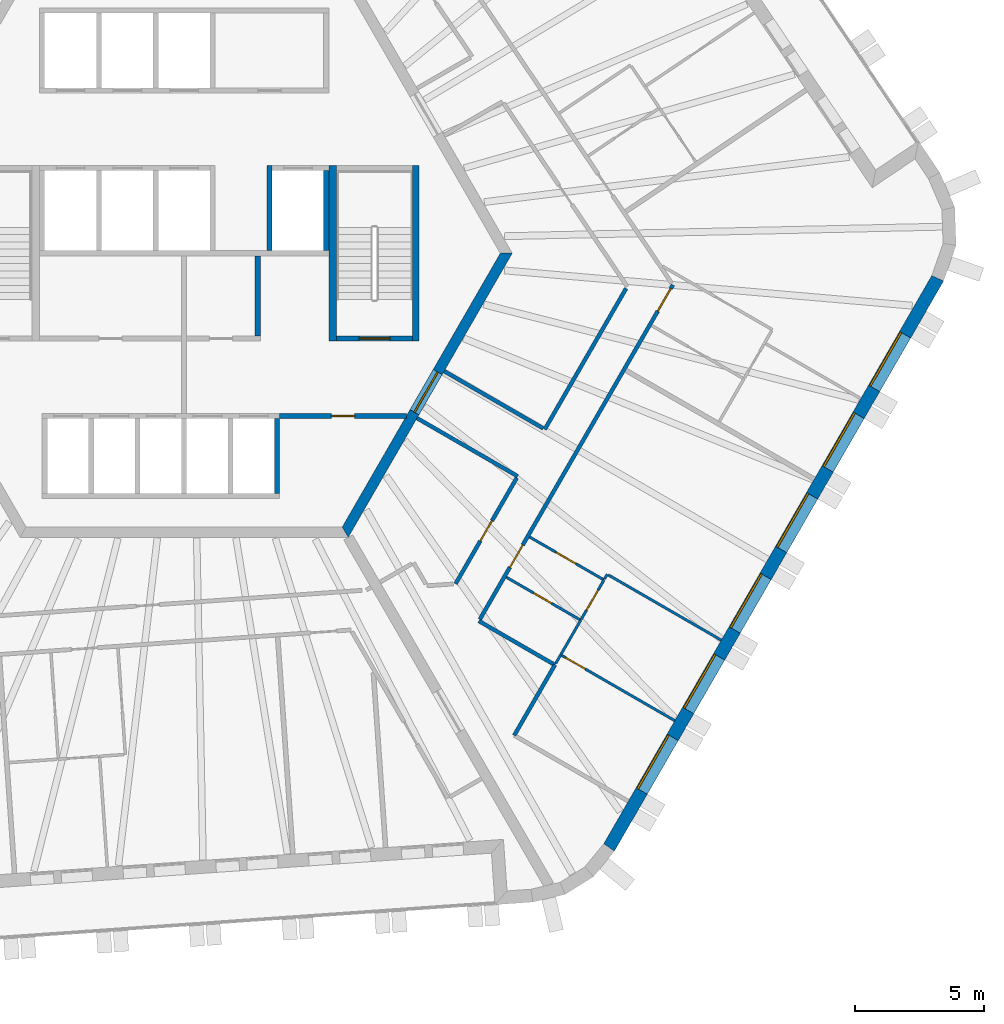
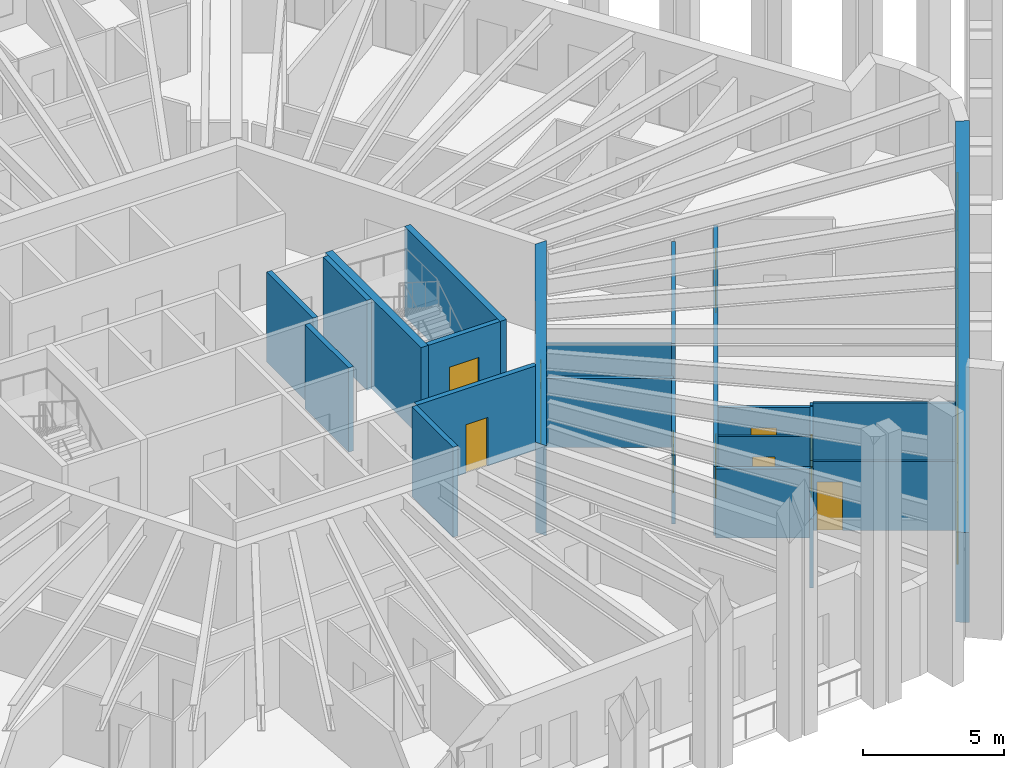
# One storey, part 6 of 13: 25 walls, 10 doors, 6 windows, 16 openings.
"""IFC4 building model written with IfcOpenShell, lengths in metres."""

from ifc_helpers import new_model, si_unit, direction, frame, frame_2d, origin, place, context, subcontext, project, spatial, polyline, rectangle, outline, extrude, material, layer, layer_set, type_object, element, fill, save


model = new_model("IFC4")

# Units and contexts
model_context = context("Model", 3, precision=1e-05, world=origin(), true_north=direction((0.0, 1.0)))
body_context = subcontext(model_context, "Body", "Model", "MODEL_VIEW")
ifc_project = project(units=[si_unit("LENGTHUNIT", "METRE"), si_unit("AREAUNIT", "SQUARE_METRE"), si_unit("VOLUMEUNIT", "CUBIC_METRE"), si_unit("PLANEANGLEUNIT", "RADIAN"), si_unit("MASSUNIT", "GRAM", prefix="KILO")], contexts=[model_context])

# Site, building, storey
site_placement = place(None, origin())
site = spatial("IfcSite", under=ifc_project, at=site_placement, CompositionType="ELEMENT")
building_placement = place(site_placement, origin())
building = spatial("IfcBuilding", under=site, at=building_placement, Name="Tarnside Tower", CompositionType="ELEMENT")
storey_placement = place(building_placement, frame((0.0, 0.0, 303.0)))
storey = spatial("IfcBuildingStorey", under=building, at=storey_placement, Name="L73", CompositionType="ELEMENT", Elevation=303.0)

# Wall, opening, door
ifc_material_1 = material(Name="Gypsum board partition on steel studs", Category="steel")
ifc_layer_1 = layer(ifc_material_1, 0.10009765625)
ifc_layer_set_1 = layer_set([ifc_layer_1], Name="Bathroom wall 100")
wall_type_1 = type_object("IfcWallType", Name="Bathroom wall 100", PredefinedType="PARTITIONING", material=ifc_layer_set_1)
wall_1_placement = place(storey_placement, frame((12.47412109375, -12.544189453125, 0.0), z_axis=(0.0, 0.0, 1.0), x_axis=(0.866002163101, -0.500040251884, 0.0)))
wall_1 = element("IfcWall", 1, at=wall_1_placement, inside=storey, type_object=wall_type_1, Name="Bathroom wall 24146", PredefinedType="PARTITIONING", context=body_context, shape_type="SweptSolid", body=[
    extrude(rectangle(XDim=3.324951171875, YDim=0.10009765625, at=frame_2d((1.66259765625, 0.0))), origin(), (0.0, 0.0, 1.0), 2.98779296875),
])
opening_1_placement = place(wall_1_placement, frame((1.22509765625, 0.0, 0.0)))
opening_1 = element("IfcOpeningElement", 2, at=opening_1_placement, cuts=wall_1, Name="Opening D-B1", PredefinedType="OPENING", context=body_context, shape_type="SweptSolid", body=[
    extrude(rectangle(XDim=0.800048828125, YDim=2.10009765625, at=frame_2d((0.39990234375, 1.050048828125))), frame((0.0, 0.06005859375, 0.0), z_axis=(0.0, -1.0, 0.0), x_axis=(1.0, 0.0, 0.0)), (0.0, 0.0, 1.0), 0.1201171875),
])
ifc_material_2 = material(Name="Timber door leaf", Category="wood")
door_type_1 = type_object("IfcDoorType", Name="Bathroom door 800", OperationType="NOTDEFINED", PredefinedType="DOOR", material=ifc_material_2)
door_1_placement = place(opening_1_placement, origin())
door_1 = element("IfcDoor", 3, at=door_1_placement, inside=storey, type_object=door_type_1, Name="Bathroom door 24044", OperationType="SINGLE_SWING_RIGHT", OverallHeight=2.10009765625, OverallWidth=0.800048828125, PredefinedType="DOOR", context=body_context, shape_type="SweptSolid", body=[
    extrude(rectangle(XDim=0.800048828125, YDim=2.10009765625, at=frame_2d((0.39990234375, 1.050048828125))), frame((0.0, 0.02490234375, 0.0), z_axis=(0.0, -1.0, 0.0), x_axis=(1.0, 0.0, 0.0)), (0.0, 0.0, 1.0), 0.050048828125),
])
fill(opening_1, door_1)

# Walls
wall_2_placement = place(storey_placement, frame((14.39013671875, -15.87548828125, 0.0), z_axis=(0.0, 0.0, 1.0), x_axis=(0.500094824054, 0.865970650169, 0.0)))
element("IfcWall", 4, at=wall_2_placement, inside=storey, type_object=wall_type_1, Name="Bathroom wall 24148", PredefinedType="PARTITIONING", context=body_context, shape_type="SweptSolid", body=[
    extrude(rectangle(XDim=0.37841796875, YDim=0.10009765625, at=frame_2d((0.189208984375, 0.0))), origin(), (0.0, 0.0, 1.0), 2.98779296875),
])
wall_3_placement = place(storey_placement, frame((14.579345703125, -15.5478515625, 0.0), z_axis=(0.0, 0.0, 1.0), x_axis=(0.499949632511, 0.866054481515, 0.0)))
element("IfcWall", 5, at=wall_3_placement, inside=storey, type_object=wall_type_1, Name="Bathroom wall 24149", PredefinedType="PARTITIONING", context=body_context, shape_type="SweptSolid", body=[
    extrude(rectangle(XDim=1.550537109375, YDim=0.10009765625, at=frame_2d((0.775390625, 0.0))), origin(), (0.0, 0.0, 1.0), 2.98779296875),
])
ifc_material_3 = material(Name="Concrete C40/50", Category="concrete")
ifc_layer_2 = layer(ifc_material_3, 0.199951171875)
ifc_layer_set_2 = layer_set([ifc_layer_2], Name="Core room partition 200 C40/50")
wall_type_2 = type_object("IfcWallType", Name="Core room partition 200 C40/50", PredefinedType="PARTITIONING", material=ifc_layer_set_2)
wall_4_placement = place(storey_placement, frame((2.85009765625, -3.199951171875, 0.0), z_axis=(0.0, 0.0, 1.0), x_axis=(0.0, 1.0, 0.0)))
element("IfcWall", 6, at=wall_4_placement, inside=storey, type_object=wall_type_2, Name="L73 core partition R3P1b", PredefinedType="PARTITIONING", context=body_context, shape_type="SweptSolid", body=[
    extrude(rectangle(XDim=3.099853515625, YDim=0.199951171875, at=frame_2d((1.5498046875, 0.0))), origin(), (0.0, 0.0, 1.0), 3.64990234375),
])

# Wall, opening, door
wall_5_placement = place(storey_placement, frame((3.699951171875, -6.300048828125, 0.0), z_axis=(0.0, 0.0, 1.0), x_axis=(1.0, 0.0, 0.0)))
wall_5 = element("IfcWall", 7, at=wall_5_placement, inside=storey, type_object=wall_type_2, Name="L73 core partition R4X", PredefinedType="PARTITIONING", context=body_context, shape_type="SweptSolid", body=[
    extrude(rectangle(XDim=4.902587890625, YDim=0.199951171875, at=frame_2d((2.451171875, 0.0))), origin(), (0.0, 0.0, 1.0), 3.64990234375),
])
opening_2_placement = place(wall_5_placement, frame((2.001220703125, 0.0, 0.0)))
opening_2 = element("IfcOpeningElement", 8, at=opening_2_placement, cuts=wall_5, Name="Opening CD-room", PredefinedType="OPENING", context=body_context, shape_type="SweptSolid", body=[
    extrude(rectangle(XDim=0.89990234375, YDim=2.10009765625, at=frame_2d((0.449951171875, 1.050048828125))), frame((0.0, 0.10986328125, 0.0), z_axis=(0.0, -1.0, 0.0), x_axis=(1.0, 0.0, 0.0)), (0.0, 0.0, 1.0), 0.219970703125),
])
ifc_material_4 = material(Name="Steel fire door", Category="steel")
door_type_2 = type_object("IfcDoorType", Name="Room door FD60 900x2100", OperationType="NOTDEFINED", PredefinedType="DOOR", material=ifc_material_4)
door_2_placement = place(opening_2_placement, origin())
door_2 = element("IfcDoor", 9, at=door_2_placement, inside=storey, type_object=door_type_2, Name="L73 core room door RX", OperationType="SINGLE_SWING_LEFT", OverallHeight=2.10009765625, OverallWidth=0.89990234375, PredefinedType="DOOR", context=body_context, shape_type="SweptSolid", body=[
    extrude(rectangle(XDim=0.89990234375, YDim=2.10009765625, at=frame_2d((0.449951171875, 1.050048828125))), frame((0.0, 0.02490234375, 0.0), z_axis=(0.0, -1.0, 0.0), x_axis=(1.0, 0.0, 0.0)), (0.0, 0.0, 1.0), 0.050048828125),
])
fill(opening_2, door_2)

ifc_material_5 = material(Name="Concrete C60/75", Category="concrete")
ifc_layer_3 = layer(ifc_material_5, 0.39990234375)
ifc_layer_set_3 = layer_set([ifc_layer_3], Name="Core wall Z3 400 C60/75")
wall_type_3 = type_object("IfcWallType", Name="Core wall Z3 400 C60/75", PredefinedType="SHEAR", material=ifc_layer_set_3)
wall_6_placement = place(storey_placement, frame((6.2353515625, -10.800048828125, -0.14990234375), z_axis=(0.0, 0.0, 1.0), x_axis=(0.499996419489, 0.866027470984, 0.0)))
wall_6 = element("IfcWall", 10, at=wall_6_placement, inside=storey, type_object=wall_type_3, Name="L73 core wall face 5", PredefinedType="SHEAR", context=body_context, shape_type="SweptSolid", body=[
    extrude(outline(polyline([(-0.115478515625, -0.199951171875), (12.586181640625, -0.199951171875), (12.355224609375, 0.199951171875), (0.115478515625, 0.199951171875), (-0.115478515625, -0.199951171875)])), origin(), (0.0, 0.0, 1.0), 3.89990234375),
])
opening_3_placement = place(wall_6_placement, frame((5.3642578125, 0.0, 0.14990234375)))
opening_3 = element("IfcOpeningElement", 11, at=opening_3_placement, cuts=wall_6, Name="Opening CD-FFL", PredefinedType="OPENING", context=body_context, shape_type="SweptSolid", body=[
    extrude(rectangle(XDim=1.800048828125, YDim=2.39990234375, at=frame_2d((0.89990234375, 1.199951171875))), frame((0.0, 0.2099609375, 0.0), z_axis=(0.0, -1.0, 0.0), x_axis=(1.0, 0.0, 0.0)), (0.0, 0.0, 1.0), 0.419921875),
])
door_type_3 = type_object("IfcDoorType", Name="Firefighting lobby double door FD60S 1800x2400", OperationType="NOTDEFINED", PredefinedType="DOOR", material=ifc_material_4)
door_3_placement = place(opening_3_placement, origin())
door_3 = element("IfcDoor", 12, at=door_3_placement, inside=storey, type_object=door_type_3, Name="L73 core door P4", OperationType="DOUBLE_DOOR_SINGLE_SWING", OverallHeight=2.39990234375, OverallWidth=1.800048828125, PredefinedType="DOOR", context=body_context, shape_type="SweptSolid", body=[
    extrude(rectangle(XDim=1.800048828125, YDim=2.39990234375, at=frame_2d((0.89990234375, 1.199951171875))), frame((0.0, 0.02490234375, 0.0), z_axis=(0.0, -1.0, 0.0), x_axis=(1.0, 0.0, 0.0)), (0.0, 0.0, 1.0), 0.050048828125),
])
fill(opening_3, door_3)

# Wall, openings, doors
ifc_layer_4 = layer(ifc_material_1, 0.14990234375)
ifc_layer_set_4 = layer_set([ifc_layer_4], Name="Corridor wall 150 EI 60")
wall_type_4 = type_object("IfcWallType", Name="Corridor wall 150 EI 60", PredefinedType="PARTITIONING", material=ifc_layer_set_4)
wall_7_placement = place(storey_placement, frame((11.446533203125, -14.173828125, 0.0), z_axis=(0.0, 0.0, 1.0), x_axis=(0.500003306199, 0.866023494941, 0.0)))
wall_7 = element("IfcWall", 13, at=wall_7_placement, inside=storey, type_object=wall_type_4, Name="Corridor wall 24054", PredefinedType="PARTITIONING", context=body_context, shape_type="SweptSolid", body=[
    extrude(rectangle(XDim=14.94921875, YDim=0.14990234375, at=frame_2d((7.474609375, 0.0))), origin(), (0.0, 0.0, 1.0), 2.98779296875),
])
opening_4_placement = place(wall_7_placement, frame((2.324951171875, 0.0, 0.0)))
opening_4 = element("IfcOpeningElement", 14, at=opening_4_placement, cuts=wall_7, Name="Opening D-E1", PredefinedType="OPENING", context=body_context, shape_type="SweptSolid", body=[
    extrude(rectangle(XDim=1.0, YDim=2.10009765625, at=frame_2d((0.5, 1.050048828125))), frame((0.0, 0.0849609375, 0.0), z_axis=(0.0, -1.0, 0.0), x_axis=(1.0, 0.0, 0.0)), (0.0, 0.0, 1.0), 0.169921875),
])
opening_5_placement = place(wall_7_placement, frame((13.7763671875, 0.0, 0.0)))
opening_5 = element("IfcOpeningElement", 15, at=opening_5_placement, cuts=wall_7, Name="Opening D-E1", PredefinedType="OPENING", context=body_context, shape_type="SweptSolid", body=[
    extrude(rectangle(XDim=1.0, YDim=2.10009765625, at=frame_2d((0.5, 1.050048828125))), frame((0.0, 0.0849609375, 0.0), z_axis=(0.0, -1.0, 0.0), x_axis=(1.0, 0.0, 0.0)), (0.0, 0.0, 1.0), 0.169921875),
])
door_type_4 = type_object("IfcDoorType", Name="Unit entrance door 1000 FD30S", OperationType="NOTDEFINED", PredefinedType="DOOR", material=ifc_material_2)
door_4_placement = place(opening_4_placement, origin())
door_4 = element("IfcDoor", 16, at=door_4_placement, inside=storey, type_object=door_type_4, Name="Unit door 24043", OperationType="SINGLE_SWING_LEFT", OverallHeight=2.10009765625, OverallWidth=1.0, PredefinedType="DOOR", context=body_context, shape_type="SweptSolid", body=[
    extrude(rectangle(XDim=1.0, YDim=2.10009765625, at=frame_2d((0.5, 1.050048828125))), frame((0.0, 0.02490234375, 0.0), z_axis=(0.0, -1.0, 0.0), x_axis=(1.0, 0.0, 0.0)), (0.0, 0.0, 1.0), 0.050048828125),
])
fill(opening_4, door_4)
door_5_placement = place(opening_5_placement, origin())
door_5 = element("IfcDoor", 17, at=door_5_placement, inside=storey, type_object=door_type_4, Name="Unit door 24050", OperationType="SINGLE_SWING_LEFT", OverallHeight=2.10009765625, OverallWidth=1.0, PredefinedType="DOOR", context=body_context, shape_type="SweptSolid", body=[
    extrude(rectangle(XDim=1.0, YDim=2.10009765625, at=frame_2d((0.5, 1.050048828125))), frame((0.0, 0.02490234375, 0.0), z_axis=(0.0, -1.0, 0.0), x_axis=(1.0, 0.0, 0.0)), (0.0, 0.0, 1.0), 0.050048828125),
])
fill(opening_5, door_5)

# Walls
wall_8_placement = place(storey_placement, frame((14.353515625, -15.938720703125, 0.0), z_axis=(0.0, 0.0, 1.0), x_axis=(-0.866020560687, 0.500008388397, 0.0)))
element("IfcWall", 18, at=wall_8_placement, inside=storey, type_object=wall_type_4, Name="Corridor wall 24056", PredefinedType="PARTITIONING", context=body_context, shape_type="SweptSolid", body=[
    extrude(rectangle(XDim=3.39990234375, YDim=0.14990234375, at=frame_2d((1.699951171875, 0.0))), origin(), (0.0, 0.0, 1.0), 2.98779296875),
])
wall_9_placement = place(storey_placement, frame((12.780029296875, -18.66455078125, 0.0), z_axis=(0.0, 0.0, 1.0), x_axis=(0.499972881236, 0.866041060244, 0.0)))
element("IfcWall", 19, at=wall_9_placement, inside=storey, type_object=wall_type_4, Name="Corridor wall 24058", PredefinedType="PARTITIONING", context=body_context, shape_type="SweptSolid", body=[
    extrude(rectangle(XDim=3.150634765625, YDim=0.14990234375, at=frame_2d((1.5751953125, 0.0))), origin(), (0.0, 0.0, 1.0), 2.98779296875),
])
wall_10_placement = place(storey_placement, frame((17.11181640625, -1.361572265625, 0.0), z_axis=(0.0, 0.0, 1.0), x_axis=(-0.49999985423, -0.866025487945, 0.0)))
element("IfcWall", 20, at=wall_10_placement, inside=storey, type_object=wall_type_4, Name="Corridor wall 24073", PredefinedType="PARTITIONING", context=body_context, shape_type="SweptSolid", body=[
    extrude(rectangle(XDim=6.2978515625, YDim=0.14990234375, at=frame_2d((3.14892578125, 0.0))), origin(), (0.0, 0.0, 1.0), 2.98779296875),
])
wall_11_placement = place(storey_placement, frame((13.89794921875, -6.778076171875, 0.0), z_axis=(0.0, 0.0, 1.0), x_axis=(-0.866041342403, 0.499972392486, 0.0)))
element("IfcWall", 21, at=wall_11_placement, inside=storey, type_object=wall_type_4, Name="Corridor wall 24074", PredefinedType="PARTITIONING", context=body_context, shape_type="SweptSolid", body=[
    extrude(rectangle(XDim=4.425048828125, YDim=0.14990234375, at=frame_2d((2.21240234375, 0.0))), origin(), (0.0, 0.0, 1.0), 2.98779296875),
])
wall_12_placement = place(storey_placement, frame((9.015625, -6.38427734375, 0.0), z_axis=(0.0, 0.0, 1.0), x_axis=(0.866031096941, -0.499990139034, 0.0)))
element("IfcWall", 22, at=wall_12_placement, inside=storey, type_object=wall_type_4, Name="Corridor wall 24075", PredefinedType="PARTITIONING", context=body_context, shape_type="SweptSolid", body=[
    extrude(rectangle(XDim=4.5, YDim=0.14990234375, at=frame_2d((2.25, 0.0))), origin(), (0.0, 0.0, 1.0), 2.98779296875),
])

# Wall, opening, door
wall_13_placement = place(storey_placement, frame((12.875244140625, -8.69921875, 0.0), z_axis=(0.0, 0.0, 1.0), x_axis=(-0.49999482868, -0.866028389427, 0.0)))
wall_13 = element("IfcWall", 23, at=wall_13_placement, inside=storey, type_object=wall_type_4, Name="Corridor wall 24076", PredefinedType="PARTITIONING", context=body_context, shape_type="SweptSolid", body=[
    extrude(rectangle(XDim=4.73291015625, YDim=0.14990234375, at=frame_2d((2.366455078125, 0.0))), origin(), (0.0, 0.0, 1.0), 2.98779296875),
])
opening_6_placement = place(wall_13_placement, frame((1.91650390625, 0.0, 0.0)))
opening_6 = element("IfcOpeningElement", 24, at=opening_6_placement, cuts=wall_13, Name="Opening D-S1", PredefinedType="OPENING", context=body_context, shape_type="SweptSolid", body=[
    extrude(rectangle(XDim=0.89990234375, YDim=2.10009765625, at=frame_2d((0.449951171875, 1.050048828125))), frame((0.0, 0.0849609375, 0.0), z_axis=(0.0, -1.0, 0.0), x_axis=(1.0, 0.0, 0.0)), (0.0, 0.0, 1.0), 0.169921875),
])
door_type_5 = type_object("IfcDoorType", Name="Service room door 900 FD30S", OperationType="NOTDEFINED", PredefinedType="DOOR", material=ifc_material_2)
door_6_placement = place(opening_6_placement, origin())
door_6 = element("IfcDoor", 25, at=door_6_placement, inside=storey, type_object=door_type_5, Name="Service door 24068", OperationType="SINGLE_SWING_LEFT", OverallHeight=2.10009765625, OverallWidth=0.89990234375, PredefinedType="DOOR", context=body_context, shape_type="SweptSolid", body=[
    extrude(rectangle(XDim=0.89990234375, YDim=2.10009765625, at=frame_2d((0.449951171875, 1.050048828125))), frame((0.0, 0.02490234375, 0.0), z_axis=(0.0, -1.0, 0.0), x_axis=(1.0, 0.0, 0.0)), (0.0, 0.0, 1.0), 0.050048828125),
])
fill(opening_6, door_6)

# Walls
ifc_layer_5 = layer(ifc_material_3, 0.199951171875)
ifc_layer_set_5 = layer_set([ifc_layer_5], Name="Lift shaft wall 200 C40/50")
wall_type_5 = type_object("IfcWallType", Name="Lift shaft wall 200 C40/50", PredefinedType="SHEAR", material=ifc_layer_set_5)
wall_14_placement = place(storey_placement, frame((3.300048828125, 0.10009765625, -0.25), z_axis=(0.0, 0.0, 1.0), x_axis=(0.0, 1.0, 0.0)))
element("IfcWall", 26, at=wall_14_placement, inside=storey, type_object=wall_type_5, Name="L73 lift shaft partition R25", PredefinedType="SHEAR", context=body_context, shape_type="SweptSolid", body=[
    extrude(rectangle(XDim=3.2998046875, YDim=0.199951171875, at=frame_2d((1.64990234375, 0.0))), origin(), (0.0, 0.0, 1.0), 3.89990234375),
])
wall_15_placement = place(storey_placement, frame((5.5, 0.10009765625, -0.25), z_axis=(0.0, 0.0, 1.0), x_axis=(0.0, 1.0, 0.0)))
element("IfcWall", 27, at=wall_15_placement, inside=storey, type_object=wall_type_5, Name="L73 lift shaft partition R26", PredefinedType="SHEAR", context=body_context, shape_type="SweptSolid", body=[
    extrude(rectangle(XDim=3.099853515625, YDim=0.199951171875, at=frame_2d((1.5498046875, 0.0))), origin(), (0.0, 0.0, 1.0), 3.89990234375),
])
wall_16_placement = place(storey_placement, frame((3.60009765625, -9.300048828125, -0.25), z_axis=(0.0, 0.0, 1.0), x_axis=(0.0, 1.0, 0.0)))
element("IfcWall", 28, at=wall_16_placement, inside=storey, type_object=wall_type_5, Name="L73 lift shaft partition R46", PredefinedType="SHEAR", context=body_context, shape_type="SweptSolid", body=[
    extrude(rectangle(XDim=2.900146484375, YDim=0.199951171875, at=frame_2d((1.4501953125, 0.0))), origin(), (0.0, 0.0, 1.0), 3.89990234375),
])

# Wall, opening, door
wall_17_placement = place(storey_placement, frame((5.89990234375, -3.300048828125, -0.25), z_axis=(0.0, 0.0, 1.0), x_axis=(1.0, 0.0, 0.0)))
wall_17 = element("IfcWall", 29, at=wall_17_placement, inside=storey, type_object=wall_type_5, Name="L73 stair 1 enclosure cap wall s", PredefinedType="SHEAR", context=body_context, shape_type="SweptSolid", body=[
    extrude(rectangle(XDim=2.9501953125, YDim=0.199951171875, at=frame_2d((1.47509765625, 0.0))), origin(), (0.0, 0.0, 1.0), 3.89990234375),
])
opening_7_placement = place(wall_17_placement, frame((0.875, 0.0, 0.25)))
opening_7 = element("IfcOpeningElement", 30, at=opening_7_placement, cuts=wall_17, Name="Opening CD-STR", PredefinedType="OPENING", context=body_context, shape_type="SweptSolid", body=[
    extrude(rectangle(XDim=1.199951171875, YDim=2.39990234375, at=frame_2d((0.60009765625, 1.199951171875))), frame((0.0, 0.10986328125, 0.0), z_axis=(0.0, -1.0, 0.0), x_axis=(1.0, 0.0, 0.0)), (0.0, 0.0, 1.0), 0.219970703125),
])
door_type_6 = type_object("IfcDoorType", Name="Stair door FD60S 1200x2400", OperationType="NOTDEFINED", PredefinedType="DOOR", material=ifc_material_4)
door_7_placement = place(opening_7_placement, origin())
door_7 = element("IfcDoor", 31, at=door_7_placement, inside=storey, type_object=door_type_6, Name="L73 stair 1 door", OperationType="SINGLE_SWING_LEFT", OverallHeight=2.39990234375, OverallWidth=1.199951171875, PredefinedType="DOOR", context=body_context, shape_type="SweptSolid", body=[
    extrude(rectangle(XDim=1.199951171875, YDim=2.39990234375, at=frame_2d((0.60009765625, 1.199951171875))), frame((0.0, 0.02490234375, 0.0), z_axis=(0.0, -1.0, 0.0), x_axis=(1.0, 0.0, 0.0)), (0.0, 0.0, 1.0), 0.050048828125),
])
fill(opening_7, door_7)

ifc_layer_6 = layer(ifc_material_1, 0.10009765625)
ifc_layer_set_6 = layer_set([ifc_layer_6], Name="Partition 100")
wall_type_6 = type_object("IfcWallType", Name="Partition 100", PredefinedType="PARTITIONING", material=ifc_layer_set_6)
wall_18_placement = place(storey_placement, frame((13.3740234375, -10.9853515625, 0.0), z_axis=(0.0, 0.0, 1.0), x_axis=(0.866020521143, -0.500008456887, 0.0)))
wall_18 = element("IfcWall", 32, at=wall_18_placement, inside=storey, type_object=wall_type_6, Name="Partition wall 24141", PredefinedType="PARTITIONING", context=body_context, shape_type="SweptSolid", body=[
    extrude(rectangle(XDim=3.3251953125, YDim=0.10009765625, at=frame_2d((1.66259765625, 0.0))), origin(), (0.0, 0.0, 1.0), 2.98779296875),
])
opening_8_placement = place(wall_18_placement, frame((1.175048828125, 0.0, 0.0)))
opening_8 = element("IfcOpeningElement", 33, at=opening_8_placement, cuts=wall_18, Name="Opening D-I1", PredefinedType="OPENING", context=body_context, shape_type="SweptSolid", body=[
    extrude(rectangle(XDim=0.89990234375, YDim=2.10009765625, at=frame_2d((0.449951171875, 1.050048828125))), frame((0.0, 0.06005859375, 0.0), z_axis=(0.0, -1.0, 0.0), x_axis=(1.0, 0.0, 0.0)), (0.0, 0.0, 1.0), 0.1201171875),
])
door_type_7 = type_object("IfcDoorType", Name="Internal door 900", OperationType="NOTDEFINED", PredefinedType="DOOR", material=ifc_material_2)
door_8_placement = place(opening_8_placement, origin())
door_8 = element("IfcDoor", 34, at=door_8_placement, inside=storey, type_object=door_type_7, Name="Internal door 24045", OperationType="SINGLE_SWING_RIGHT", OverallHeight=2.10009765625, OverallWidth=0.89990234375, PredefinedType="DOOR", context=body_context, shape_type="SweptSolid", body=[
    extrude(rectangle(XDim=0.89990234375, YDim=2.10009765625, at=frame_2d((0.449951171875, 1.050048828125))), frame((0.0, 0.02490234375, 0.0), z_axis=(0.0, -1.0, 0.0), x_axis=(1.0, 0.0, 0.0)), (0.0, 0.0, 1.0), 0.050048828125),
])
fill(opening_8, door_8)

# Walls
wall_19_placement = place(storey_placement, frame((16.277587890625, -12.6064453125, 0.0), z_axis=(0.0, 0.0, 1.0), x_axis=(0.500137716533, 0.865945878506, 0.0)))
element("IfcWall", 35, at=wall_19_placement, inside=storey, type_object=wall_type_6, Name="Partition wall 24142", PredefinedType="PARTITIONING", context=body_context, shape_type="SweptSolid", body=[
    extrude(rectangle(XDim=0.20361328125, YDim=0.10009765625, at=frame_2d((0.101806640625, 0.0))), origin(), (0.0, 0.0, 1.0), 2.98779296875),
])
wall_20_placement = place(storey_placement, frame((16.422607421875, -12.455078125, 0.0), z_axis=(0.0, 0.0, 1.0), x_axis=(0.866018134068, -0.500012591307, 0.0)))
element("IfcWall", 36, at=wall_20_placement, inside=storey, type_object=wall_type_6, Name="Partition wall 24143", PredefinedType="PARTITIONING", context=body_context, shape_type="SweptSolid", body=[
    extrude(rectangle(XDim=5.050048828125, YDim=0.10009765625, at=frame_2d((2.52490234375, 0.0))), origin(), (0.0, 0.0, 1.0), 2.98779296875),
])

# Wall, opening, door
wall_21_placement = place(storey_placement, frame((15.377685546875, -14.165283203125, 0.0), z_axis=(0.0, 0.0, 1.0), x_axis=(0.499971461383, 0.866041879935, 0.0)))
wall_21 = element("IfcWall", 37, at=wall_21_placement, inside=storey, type_object=wall_type_6, Name="Partition wall 24147", PredefinedType="PARTITIONING", context=body_context, shape_type="SweptSolid", body=[
    extrude(rectangle(XDim=1.75390625, YDim=0.10009765625, at=frame_2d((0.876953125, 0.0))), origin(), (0.0, 0.0, 1.0), 2.98779296875),
])
opening_9_placement = place(wall_21_placement, frame((0.402099609375, 0.0, 0.0)))
opening_9 = element("IfcOpeningElement", 38, at=opening_9_placement, cuts=wall_21, Name="Opening D-I1", PredefinedType="OPENING", context=body_context, shape_type="SweptSolid", body=[
    extrude(rectangle(XDim=0.89990234375, YDim=2.10009765625, at=frame_2d((0.449951171875, 1.050048828125))), frame((0.0, 0.06005859375, 0.0), z_axis=(0.0, -1.0, 0.0), x_axis=(1.0, 0.0, 0.0)), (0.0, 0.0, 1.0), 0.1201171875),
])
door_9_placement = place(opening_9_placement, origin())
door_9 = element("IfcDoor", 39, at=door_9_placement, inside=storey, type_object=door_type_7, Name="Internal door 24049", OperationType="SINGLE_SWING_RIGHT", OverallHeight=2.10009765625, OverallWidth=0.89990234375, PredefinedType="DOOR", context=body_context, shape_type="SweptSolid", body=[
    extrude(rectangle(XDim=0.89990234375, YDim=2.10009765625, at=frame_2d((0.449951171875, 1.050048828125))), frame((0.0, 0.02490234375, 0.0), z_axis=(0.0, -1.0, 0.0), x_axis=(1.0, 0.0, 0.0)), (0.0, 0.0, 1.0), 0.050048828125),
])
fill(opening_9, door_9)

wall_22_placement = place(storey_placement, frame((18.99609375, -18.097900390625, 0.0), z_axis=(0.0, 0.0, 1.0), x_axis=(-0.866039067339, 0.499976333282, 0.0)))
wall_22 = element("IfcWall", 40, at=wall_22_placement, inside=storey, type_object=wall_type_6, Name="Partition wall 24150", PredefinedType="PARTITIONING", context=body_context, shape_type="SweptSolid", body=[
    extrude(rectangle(XDim=5.050048828125, YDim=0.10009765625, at=frame_2d((2.52490234375, 0.0))), origin(), (0.0, 0.0, 1.0), 2.98779296875),
])
opening_10_placement = place(wall_22_placement, frame((4.0, 0.0, 0.0)))
opening_10 = element("IfcOpeningElement", 41, at=opening_10_placement, cuts=wall_22, Name="Opening D-I1", PredefinedType="OPENING", context=body_context, shape_type="SweptSolid", body=[
    extrude(rectangle(XDim=0.89990234375, YDim=2.10009765625, at=frame_2d((0.449951171875, 1.050048828125))), frame((0.0, 0.06005859375, 0.0), z_axis=(0.0, -1.0, 0.0), x_axis=(1.0, 0.0, 0.0)), (0.0, 0.0, 1.0), 0.1201171875),
])
door_10_placement = place(opening_10_placement, origin())
door_10 = element("IfcDoor", 42, at=door_10_placement, inside=storey, type_object=door_type_7, Name="Internal door 24048", OperationType="SINGLE_SWING_RIGHT", OverallHeight=2.10009765625, OverallWidth=0.89990234375, PredefinedType="DOOR", context=body_context, shape_type="SweptSolid", body=[
    extrude(rectangle(XDim=0.89990234375, YDim=2.10009765625, at=frame_2d((0.449951171875, 1.050048828125))), frame((0.0, 0.02490234375, 0.0), z_axis=(0.0, -1.0, 0.0), x_axis=(1.0, 0.0, 0.0)), (0.0, 0.0, 1.0), 0.050048828125),
])
fill(opening_10, door_10)

# Walls
ifc_layer_7 = layer(ifc_material_3, 0.25)
ifc_layer_set_7 = layer_set([ifc_layer_7], Name="Stair enclosure wall 250 C40/50")
wall_type_7 = type_object("IfcWallType", Name="Stair enclosure wall 250 C40/50", PredefinedType="SHEAR", material=ifc_layer_set_7)
wall_23_placement = place(storey_placement, frame((8.97509765625, -3.39990234375, -0.25), z_axis=(0.0, 0.0, 1.0), x_axis=(0.0, 1.0, 0.0)))
element("IfcWall", 43, at=wall_23_placement, inside=storey, type_object=wall_type_7, Name="L73 stair 1 enclosure wall outer", PredefinedType="SHEAR", context=body_context, shape_type="SweptSolid", body=[
    extrude(rectangle(XDim=6.7998046875, YDim=0.25, at=frame_2d((3.39990234375, 0.0))), origin(), (0.0, 0.0, 1.0), 3.89990234375),
])
ifc_layer_8 = layer(ifc_material_3, 0.300048828125)
ifc_layer_set_8 = layer_set([ifc_layer_8], Name="Stair enclosure wall 300 C40/50")
wall_type_8 = type_object("IfcWallType", Name="Stair enclosure wall 300 C40/50", PredefinedType="SHEAR", material=ifc_layer_set_8)
wall_24_placement = place(storey_placement, frame((5.75, -3.39990234375, -0.25), z_axis=(0.0, 0.0, 1.0), x_axis=(0.0, 1.0, 0.0)))
element("IfcWall", 44, at=wall_24_placement, inside=storey, type_object=wall_type_8, Name="L73 stair 1 enclosure wall inner", PredefinedType="SHEAR", context=body_context, shape_type="SweptSolid", body=[
    extrude(rectangle(XDim=6.7998046875, YDim=0.300048828125, at=frame_2d((3.39990234375, 0.0))), origin(), (0.0, 0.0, 1.0), 3.89990234375),
])

# Wall, openings, windows
ifc_material_6 = material(Name="Facing brick", Category="masonry")
ifc_layer_9 = layer(ifc_material_6, 0.10205078125)
ifc_material_7 = material(Name="Concrete C60/75 precast", Category="concrete")
ifc_layer_10 = layer(ifc_material_7, 0.298095703125)
ifc_material_8 = material(Name="Mineral wool insulation")
ifc_layer_11 = layer(ifc_material_8, 0.10009765625)
ifc_layer_set_9 = layer_set([ifc_layer_9, ifc_layer_10, ifc_layer_11], Name="Tube wall 500 brick faced")
wall_type_9 = type_object("IfcWallType", Name="Tube wall 500 brick faced", PredefinedType="SOLIDWALL", material=ifc_layer_set_9)
wall_25_placement = place(storey_placement, frame((16.451416015625, -23.00537109375, -0.14990234375), z_axis=(0.0, 0.0, 1.0), x_axis=(0.500003737743, 0.866023245787, 0.0)))
wall_25 = element("IfcWall", 45, at=wall_25_placement, inside=storey, type_object=wall_type_9, Name="Tube wall L73 F5 flush 24", PredefinedType="SOLIDWALL", context=body_context, shape_type="SweptSolid", body=[
    extrude(outline(polyline([(-0.0205078125, -0.25), (25.468017578125, -0.25), (25.421142578125, 0.25), (0.0205078125, 0.25), (-0.0205078125, -0.25)])), origin(), (0.0, 0.0, 1.0), 3.89990234375),
])
opening_11_placement = place(wall_25_placement, frame((2.5224609375, 0.0, 0.75)))
opening_11 = element("IfcOpeningElement", 46, at=opening_11_placement, cuts=wall_25, Name="Opening WR", PredefinedType="OPENING", context=body_context, shape_type="SweptSolid", body=[
    extrude(rectangle(XDim=2.39990234375, YDim=2.699951171875, at=frame_2d((1.199951171875, 1.35009765625))), frame((0.0, 0.260009765625, 0.0), z_axis=(0.0, -1.0, 0.0), x_axis=(1.0, 0.0, 0.0)), (0.0, 0.0, 1.0), 0.52001953125),
])
opening_12_placement = place(wall_25_placement, frame((6.122314453125, 0.0, 0.75)))
opening_12 = element("IfcOpeningElement", 47, at=opening_12_placement, cuts=wall_25, Name="Opening WR", PredefinedType="OPENING", context=body_context, shape_type="SweptSolid", body=[
    extrude(rectangle(XDim=2.39990234375, YDim=2.699951171875, at=frame_2d((1.199951171875, 1.35009765625))), frame((0.0, 0.260009765625, 0.0), z_axis=(0.0, -1.0, 0.0), x_axis=(1.0, 0.0, 0.0)), (0.0, 0.0, 1.0), 0.52001953125),
])
opening_13_placement = place(wall_25_placement, frame((9.722412109375, 0.0, 0.75)))
opening_13 = element("IfcOpeningElement", 48, at=opening_13_placement, cuts=wall_25, Name="Opening WR", PredefinedType="OPENING", context=body_context, shape_type="SweptSolid", body=[
    extrude(rectangle(XDim=2.39990234375, YDim=2.699951171875, at=frame_2d((1.199951171875, 1.35009765625))), frame((0.0, 0.260009765625, 0.0), z_axis=(0.0, -1.0, 0.0), x_axis=(1.0, 0.0, 0.0)), (0.0, 0.0, 1.0), 0.52001953125),
])
opening_14_placement = place(wall_25_placement, frame((13.322509765625, 0.0, 0.75)))
opening_14 = element("IfcOpeningElement", 49, at=opening_14_placement, cuts=wall_25, Name="Opening WR", PredefinedType="OPENING", context=body_context, shape_type="SweptSolid", body=[
    extrude(rectangle(XDim=2.39990234375, YDim=2.699951171875, at=frame_2d((1.199951171875, 1.35009765625))), frame((0.0, 0.260009765625, 0.0), z_axis=(0.0, -1.0, 0.0), x_axis=(1.0, 0.0, 0.0)), (0.0, 0.0, 1.0), 0.52001953125),
])
opening_15_placement = place(wall_25_placement, frame((16.92236328125, 0.0, 0.75)))
opening_15 = element("IfcOpeningElement", 50, at=opening_15_placement, cuts=wall_25, Name="Opening WR", PredefinedType="OPENING", context=body_context, shape_type="SweptSolid", body=[
    extrude(rectangle(XDim=2.39990234375, YDim=2.699951171875, at=frame_2d((1.199951171875, 1.35009765625))), frame((0.0, 0.260009765625, 0.0), z_axis=(0.0, -1.0, 0.0), x_axis=(1.0, 0.0, 0.0)), (0.0, 0.0, 1.0), 0.52001953125),
])
opening_16_placement = place(wall_25_placement, frame((20.5224609375, 0.0, 0.75)))
opening_16 = element("IfcOpeningElement", 51, at=opening_16_placement, cuts=wall_25, Name="Opening WR", PredefinedType="OPENING", context=body_context, shape_type="SweptSolid", body=[
    extrude(rectangle(XDim=2.39990234375, YDim=2.699951171875, at=frame_2d((1.199951171875, 1.35009765625))), frame((0.0, 0.260009765625, 0.0), z_axis=(0.0, -1.0, 0.0), x_axis=(1.0, 0.0, 0.0)), (0.0, 0.0, 1.0), 0.52001953125),
])
ifc_material_9 = material(Name="Aluminium-framed double glazing", Category="aluminium")
window_type = type_object("IfcWindowType", Name="Residence window 2400 x 2700", PartitioningType="DOUBLE_PANEL_VERTICAL", PredefinedType="WINDOW", material=ifc_material_9)
window_1_placement = place(opening_11_placement, frame((0.0, 0.179931640625, 0.0)))
window_1 = element("IfcWindow", 52, at=window_1_placement, inside=storey, type_object=window_type, Name="E.WN.L73.F5.00", OverallHeight=2.699951171875, OverallWidth=2.39990234375, PartitioningType="DOUBLE_PANEL_VERTICAL", PredefinedType="WINDOW", context=body_context, shape_type="SweptSolid", body=[
    extrude(rectangle(XDim=2.39990234375, YDim=2.699951171875, at=frame_2d((1.199951171875, 1.35009765625))), frame((0.0, 0.030029296875, 0.0), z_axis=(0.0, -1.0, 0.0), x_axis=(1.0, 0.0, 0.0)), (0.0, 0.0, 1.0), 0.06005859375),
])
fill(opening_11, window_1)
window_2_placement = place(opening_12_placement, frame((0.0, 0.179931640625, 0.0)))
window_2 = element("IfcWindow", 53, at=window_2_placement, inside=storey, type_object=window_type, Name="E.WN.L73.F5.01", OverallHeight=2.699951171875, OverallWidth=2.39990234375, PartitioningType="DOUBLE_PANEL_VERTICAL", PredefinedType="WINDOW", context=body_context, shape_type="SweptSolid", body=[
    extrude(rectangle(XDim=2.39990234375, YDim=2.699951171875, at=frame_2d((1.199951171875, 1.35009765625))), frame((0.0, 0.030029296875, 0.0), z_axis=(0.0, -1.0, 0.0), x_axis=(1.0, 0.0, 0.0)), (0.0, 0.0, 1.0), 0.06005859375),
])
fill(opening_12, window_2)
window_3_placement = place(opening_13_placement, frame((0.0, 0.179931640625, 0.0)))
window_3 = element("IfcWindow", 54, at=window_3_placement, inside=storey, type_object=window_type, Name="E.WN.L73.F5.02", OverallHeight=2.699951171875, OverallWidth=2.39990234375, PartitioningType="DOUBLE_PANEL_VERTICAL", PredefinedType="WINDOW", context=body_context, shape_type="SweptSolid", body=[
    extrude(rectangle(XDim=2.39990234375, YDim=2.699951171875, at=frame_2d((1.199951171875, 1.35009765625))), frame((0.0, 0.030029296875, 0.0), z_axis=(0.0, -1.0, 0.0), x_axis=(1.0, 0.0, 0.0)), (0.0, 0.0, 1.0), 0.06005859375),
])
fill(opening_13, window_3)
window_4_placement = place(opening_14_placement, frame((0.0, 0.179931640625, 0.0)))
window_4 = element("IfcWindow", 55, at=window_4_placement, inside=storey, type_object=window_type, Name="E.WN.L73.F5.03", OverallHeight=2.699951171875, OverallWidth=2.39990234375, PartitioningType="DOUBLE_PANEL_VERTICAL", PredefinedType="WINDOW", context=body_context, shape_type="SweptSolid", body=[
    extrude(rectangle(XDim=2.39990234375, YDim=2.699951171875, at=frame_2d((1.199951171875, 1.35009765625))), frame((0.0, 0.030029296875, 0.0), z_axis=(0.0, -1.0, 0.0), x_axis=(1.0, 0.0, 0.0)), (0.0, 0.0, 1.0), 0.06005859375),
])
fill(opening_14, window_4)
window_5_placement = place(opening_15_placement, frame((0.0, 0.179931640625, 0.0)))
window_5 = element("IfcWindow", 56, at=window_5_placement, inside=storey, type_object=window_type, Name="E.WN.L73.F5.04", OverallHeight=2.699951171875, OverallWidth=2.39990234375, PartitioningType="DOUBLE_PANEL_VERTICAL", PredefinedType="WINDOW", context=body_context, shape_type="SweptSolid", body=[
    extrude(rectangle(XDim=2.39990234375, YDim=2.699951171875, at=frame_2d((1.199951171875, 1.35009765625))), frame((0.0, 0.030029296875, 0.0), z_axis=(0.0, -1.0, 0.0), x_axis=(1.0, 0.0, 0.0)), (0.0, 0.0, 1.0), 0.06005859375),
])
fill(opening_15, window_5)
window_6_placement = place(opening_16_placement, frame((0.0, 0.179931640625, 0.0)))
window_6 = element("IfcWindow", 57, at=window_6_placement, inside=storey, type_object=window_type, Name="E.WN.L73.F5.05", OverallHeight=2.699951171875, OverallWidth=2.39990234375, PartitioningType="DOUBLE_PANEL_VERTICAL", PredefinedType="WINDOW", context=body_context, shape_type="SweptSolid", body=[
    extrude(rectangle(XDim=2.39990234375, YDim=2.699951171875, at=frame_2d((1.199951171875, 1.35009765625))), frame((0.0, 0.030029296875, 0.0), z_axis=(0.0, -1.0, 0.0), x_axis=(1.0, 0.0, 0.0)), (0.0, 0.0, 1.0), 0.06005859375),
])
fill(opening_16, window_6)

save(model, "model.ifc")
